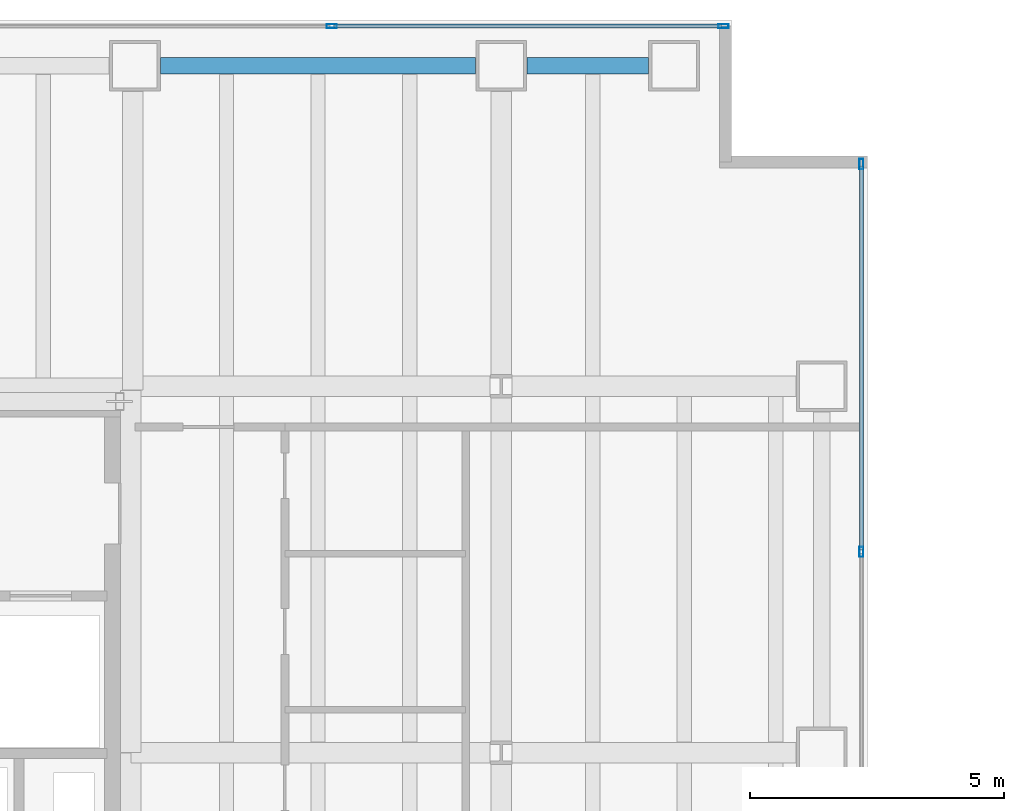
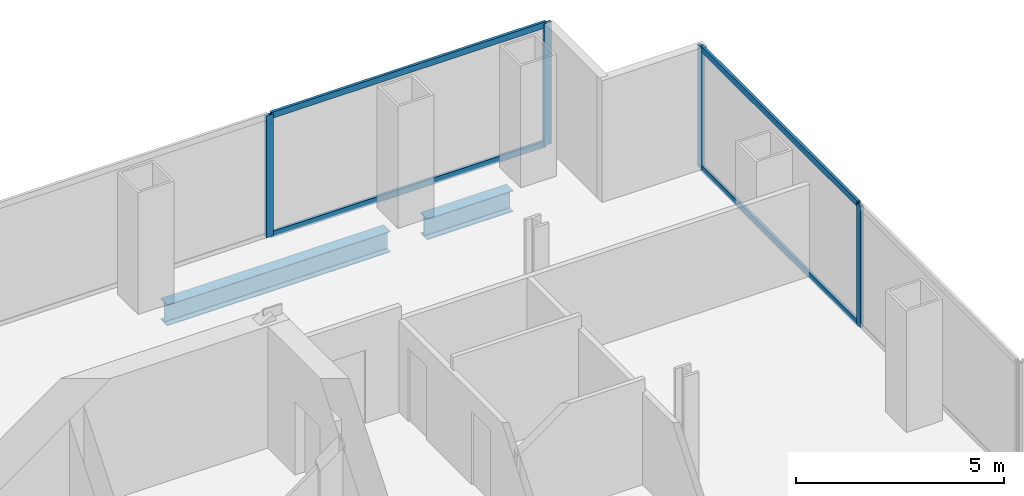
# One storey, part 18 of 23: 8 members, 2 beams, 2 elements without a shape of their own.
"""IFC4 building model written with IfcOpenShell, lengths in metres."""

import ifcopenshell
import ifcopenshell.guid

model = None  # the IFC model being written
_history = None  # IfcOwnerHistory: only IFC2X3 demands one
_inside = {}  # id of a spatial element -> (the spatial element, [elements in it])
_under = {}  # id of a project, library or spatial element -> (it, [spatial elements below it])
_declared = {}  # id of a project -> (the project, [libraries it declares])
_typed = {}  # id of a type object -> (the type object, [elements of that type])
_made_of = {}  # id of a material, layer set ... -> (it, [elements and type objects made of it])


def new_model(schema):
    """Start an empty IFC model of exactly this schema.

    Asked for "IFC4X3", IfcOpenShell would pick the latest addendum, in which some entities
    have other attributes; the version numbers below select the first issue.
    IFC2X3 requires an IfcOwnerHistory on every rooted entity: one is made here for all.
    """
    global model, _history
    if schema == "IFC4X3":
        model = ifcopenshell.file(schema_version=(4, 3, 0, 0))
    else:
        model = ifcopenshell.file(schema=schema)
    _inside.clear()
    _under.clear()
    _declared.clear()
    _typed.clear()
    _made_of.clear()
    _history = None
    if model.schema == "IFC2X3":
        org = make("IfcOrganization", Name="unknown")
        user = make(
            "IfcPersonAndOrganization",
            ThePerson=make("IfcPerson", FamilyName="unknown"),
            TheOrganization=org,
        )
        app = make(
            "IfcApplication",
            ApplicationDeveloper=org,
            Version="unknown",
            ApplicationFullName="unknown",
            ApplicationIdentifier="unknown",
        )
        _history = make(
            "IfcOwnerHistory",
            OwningUser=user,
            OwningApplication=app,
            ChangeAction="ADDED",
            CreationDate=0,
        )
    return model


def make(cls, **values):
    """One entity of the class cls with the attributes given. An attribute that is None is left unset."""
    return model.create_entity(
        cls, **{name: value for name, value in values.items() if value is not None}
    )


def rooted(cls, **values):
    """An entity with a GlobalId (a new one), such as an element, a storey or a relation."""
    return make(cls, GlobalId=ifcopenshell.guid.new(), OwnerHistory=_history, **values)


def si_unit(unit_type, name, prefix=None):
    """IfcSIUnit, for example si_unit("LENGTHUNIT", "METRE", prefix="MILLI")."""
    return make("IfcSIUnit", UnitType=unit_type, Prefix=prefix, Name=name)


def assignment(units):
    """IfcUnitAssignment: the units of a project."""
    return None if units is None else make("IfcUnitAssignment", Units=units)


def point(xyz):
    """IfcCartesianPoint."""
    return None if xyz is None else make("IfcCartesianPoint", Coordinates=xyz)


def direction(xyz):
    """IfcDirection."""
    return None if xyz is None else make("IfcDirection", DirectionRatios=xyz)


def frame(location, z_axis=None, x_axis=None):
    """IfcAxis2Placement3D, a coordinate frame: its origin and axes. An axis left out is left unset."""
    return make(
        "IfcAxis2Placement3D",
        Location=point(location),
        Axis=direction(z_axis),
        RefDirection=direction(x_axis),
    )


def frame_2d(location, x_axis=None):
    """IfcAxis2Placement2D, a coordinate frame in the plane: its origin and x axis."""
    return make(
        "IfcAxis2Placement2D", Location=point(location), RefDirection=direction(x_axis)
    )


def origin():
    """The frame at (0, 0, 0) with its axes left unset."""
    return frame((0.0, 0.0, 0.0))


def origin_2d():
    """The frame at (0, 0) in the plane with its x axis left unset."""
    return frame_2d((0.0, 0.0))


def place(relative_to, where):
    """IfcLocalPlacement: puts the frame where relative to a parent placement (None: the world)."""
    return make(
        "IfcLocalPlacement", PlacementRelTo=relative_to, RelativePlacement=where
    )


def context(
    kind, dimensions, precision=None, world=None, true_north=None, identifier=None
):
    """IfcGeometricRepresentationContext, for example the 3D "Model" context."""
    return make(
        "IfcGeometricRepresentationContext",
        ContextIdentifier=identifier,
        ContextType=kind,
        CoordinateSpaceDimension=dimensions,
        Precision=precision,
        WorldCoordinateSystem=world,
        TrueNorth=true_north,
    )


def subcontext(parent, identifier, kind, view, scale=None):
    """IfcGeometricRepresentationSubContext, for example "Body" below "Model"."""
    return make(
        "IfcGeometricRepresentationSubContext",
        ContextIdentifier=identifier,
        ContextType=kind,
        ParentContext=parent,
        TargetScale=scale,
        TargetView=view,
    )


def project(units=None, contexts=None):
    """IfcProject with its units and contexts."""
    return rooted(
        "IfcProject",
        Name="project",
        RepresentationContexts=contexts,
        UnitsInContext=assignment(units),
    )


def spatial(cls, under=None, at=None, **own):
    """A site, building, storey or space (cls), placed at a placement, below another one or the project."""
    s = rooted(cls, ObjectPlacement=at, **own)
    if under is not None:
        _under.setdefault(under.id(), (under, []))[1].append(s)
    return s


def profile(cls, at=None, kind="AREA", **sizes):
    """A parametric profile (cls). Its sizes go by their IFC names, for example OverallWidth=200.0."""
    return make(cls, ProfileType=kind, Position=at, **sizes)


def hollow_rectangle(**sizes):
    """IfcRectangleHollowProfileDef."""
    return profile("IfcRectangleHollowProfileDef", **sizes)


def i_section(**sizes):
    """IfcIShapeProfileDef."""
    return profile("IfcIShapeProfileDef", **sizes)


def extrude(swept, where, along, depth):
    """IfcExtrudedAreaSolid: the profile swept, set in the frame where, extruded along a direction by depth."""
    return make(
        "IfcExtrudedAreaSolid",
        SweptArea=swept,
        Position=where,
        ExtrudedDirection=direction(along),
        Depth=depth,
    )


def shape(context_of_items, identifier, shape_type, items):
    """IfcShapeRepresentation: the items that make up one representation, for example the "Body"."""
    return make(
        "IfcShapeRepresentation",
        ContextOfItems=context_of_items,
        RepresentationIdentifier=identifier,
        RepresentationType=shape_type,
        Items=items,
    )


def material(Name=None, Category=None):
    """IfcMaterial."""
    return make("IfcMaterial", Name=Name, Category=Category)


def material_profile(
    of_material, cross_section, Name=None, Category=None, Priority=None
):
    """IfcMaterialProfile: a cross section and its material."""
    return make(
        "IfcMaterialProfile",
        Name=Name,
        Material=of_material,
        Profile=cross_section,
        Priority=Priority,
        Category=Category,
    )


def profile_set(profiles, Name=None, composite=None):
    """IfcMaterialProfileSet."""
    return make(
        "IfcMaterialProfileSet",
        Name=Name,
        MaterialProfiles=profiles,
        CompositeProfile=composite,
    )


def made_of(thing, what):
    """Note that an element or type object is made of a material, layer set ...; save() writes the relation."""
    if what is not None:
        _made_of.setdefault(what.id(), (what, []))[1].append(thing)
    return thing


def type_object(cls, material=None, **own):
    """A type object (cls), such as IfcWallType, which elements share."""
    return made_of(rooted(cls, **own), material)


def element(
    cls,
    number,
    at=None,
    inside=None,
    cuts=None,
    type_object=None,
    material=None,
    context=None,
    identifier="Body",
    shape_type=None,
    held_by="IfcProductDefinitionShape",
    body=None,
    shapes=None,
    **own,
):
    """One element of the class cls, such as IfcWall. Its Tag is "e" and its number.

    at: its placement. inside: the storey or other place that contains it. cuts: it is an
    opening in that element (IfcRelVoidsElement). A single representation is given by context,
    identifier, shape_type and body (its items); several are given by shapes. held_by: the class
    of the entity that holds the representations. save() writes the other relations.
    """
    e = rooted(cls, Tag="e%d" % number, ObjectPlacement=at, **own)
    if body is not None:
        shapes = [shape(context, identifier, shape_type, body)]
    if shapes is not None:
        e.Representation = make(held_by, Representations=shapes)
    if inside is not None:
        _inside.setdefault(inside.id(), (inside, []))[1].append(e)
    if cuts is not None:
        rooted(
            "IfcRelVoidsElement", RelatingBuildingElement=cuts, RelatedOpeningElement=e
        )
    if type_object is not None:
        _typed.setdefault(type_object.id(), (type_object, []))[1].append(e)
    return made_of(e, material)


def aggregate(whole, parts):
    """IfcRelAggregates: a whole, such as a stair, and the parts it consists of."""
    return rooted("IfcRelAggregates", RelatingObject=whole, RelatedObjects=parts)


def save(model, path):
    """Write the relations noted so far, then the file.

    IfcRelAggregates (storeys below a building ...), IfcRelContainedInSpatialStructure (elements
    in a storey), IfcRelDefinesByType, IfcRelAssociatesMaterial and IfcRelDeclares: one each for
    every whole, place, type object, material and project.
    """
    for whole, parts in _under.values():
        aggregate(whole, parts)
    for where, things in _inside.values():
        rooted(
            "IfcRelContainedInSpatialStructure",
            RelatedElements=things,
            RelatingStructure=where,
        )
    for kind, things in _typed.values():
        rooted("IfcRelDefinesByType", RelatedObjects=things, RelatingType=kind)
    for what, things in _made_of.values():
        rooted("IfcRelAssociatesMaterial", RelatedObjects=things, RelatingMaterial=what)
    for by, libraries in _declared.values():
        rooted("IfcRelDeclares", RelatingContext=by, RelatedDefinitions=libraries)
    model.write(path)


model = new_model("IFC4")

# Units and contexts
model_context = context("Model", 3, precision=1e-05, world=origin(), true_north=direction((0.0, 1.0)))
body_context = subcontext(model_context, "Body", "Model", "MODEL_VIEW")
ifc_project = project(units=[si_unit("LENGTHUNIT", "METRE"), si_unit("AREAUNIT", "SQUARE_METRE"), si_unit("VOLUMEUNIT", "CUBIC_METRE"), si_unit("PLANEANGLEUNIT", "RADIAN"), si_unit("MASSUNIT", "GRAM", prefix="KILO")], contexts=[model_context])

# Site, building, storey
site_placement = place(None, origin())
site = spatial("IfcSite", under=ifc_project, at=site_placement, CompositionType="ELEMENT")
building_placement = place(site_placement, origin())
building = spatial("IfcBuilding", under=site, at=building_placement, Name="Cobrela Telecom Tower", CompositionType="ELEMENT")
storey_placement = place(building_placement, frame((0.0, 0.0, 54.25)))
storey = spatial("IfcBuildingStorey", under=building, at=storey_placement, Name="L13", CompositionType="ELEMENT", Elevation=54.25)

# Beams
ifc_material_1 = material(Name="Steel ASTM A992 Grade 50", Category="steel")
ifc_material_profile_1 = material_profile(ifc_material_1, i_section(OverallWidth=0.324951171875, OverallDepth=0.612060546875, WebThickness=0.0126953125, FlangeThickness=0.01904296875, FilletRadius=0.014892578125, at=origin_2d()), Name="W24X104")
ifc_profile_set_1 = profile_set([ifc_material_profile_1], Name="Steel ASTM A992 Grade 50")
beam_type = type_object("IfcBeamType", Name="BM-SPAND-02", PredefinedType="SPANDREL", material=ifc_profile_set_1)
beam_1_placement = place(storey_placement, frame((14.905029296875, 42.300048828125, -0.5859375), z_axis=(1.0, 0.0, 0.0), x_axis=(0.0, 1.0, 0.0)))
element("IfcBeam", 1, at=beam_1_placement, inside=storey, type_object=beam_type, Name="L13 Perimeter Spandrel X30", PredefinedType="SPANDREL", context=body_context, shape_type="SweptSolid", body=[
    extrude(i_section(OverallWidth=0.324951171875, OverallDepth=0.612060546875, WebThickness=0.0126953125, FlangeThickness=0.01904296875, FilletRadius=0.014892578125, at=origin_2d()), origin(), (0.0, 0.0, 1.0), 6.18994140625),
])
beam_2_placement = place(storey_placement, frame((22.10498046875, 42.300048828125, -0.5859375), z_axis=(1.0, 0.0, 0.0), x_axis=(0.0, 1.0, 0.0)))
element("IfcBeam", 2, at=beam_2_placement, inside=storey, type_object=beam_type, Name="L13 Perimeter Spandrel X31", PredefinedType="SPANDREL", context=body_context, shape_type="SweptSolid", body=[
    extrude(i_section(OverallWidth=0.324951171875, OverallDepth=0.612060546875, WebThickness=0.0126953125, FlangeThickness=0.01904296875, FilletRadius=0.014892578125, at=origin_2d()), origin(), (0.0, 0.0, 1.0), 2.39013671875),
])

# Curtain wall, members
ifc_material_2 = material(Name="Anodized Bronze Aluminium 6063-T6", Category="aluminium")
curtain_wall_type = type_object("IfcCurtainWallType", Name="CW-SYS-DATA", PredefinedType="USERDEFINED", material=ifc_material_2)
curtain_wall_1_placement = place(storey_placement, origin())
curtain_wall_1 = element("IfcCurtainWall", 3, at=curtain_wall_1_placement, inside=storey, type_object=curtain_wall_type, Name="L13 Unitised Bronze Curtain Wall 07", ObjectType="UNITISED CURTAIN WALL", PredefinedType="USERDEFINED")
ifc_material_profile_2 = material_profile(ifc_material_2, hollow_rectangle(XDim=0.080078125, YDim=0.199951171875, WallThickness=0.00390625, at=origin_2d()), Name="ALU 80x200x4")
ifc_profile_set_2 = profile_set([ifc_material_profile_2], Name="Anodized Bronze Aluminium 6063-T6")
member_type_1 = type_object("IfcMemberType", Name="CW-SYS-DATA-MUL", PredefinedType="MULLION", material=ifc_profile_set_2)
member_1_placement = place(storey_placement, frame((18.27001953125, 43.080078125, 0.0), z_axis=(0.0, 0.0, 1.0), x_axis=(0.0, 1.0, 0.0)))
member_1 = element("IfcMember", 4, at=member_1_placement, type_object=member_type_1, Name="CW-DATA mullion 3", PredefinedType="MULLION", context=body_context, shape_type="SweptSolid", body=[
    extrude(hollow_rectangle(XDim=0.080078125, YDim=0.199951171875, WallThickness=0.00390625, at=origin_2d()), origin(), (0.0, 0.0, 1.0), 3.570068359375),
])
member_2_placement = place(storey_placement, frame((25.969970703125, 43.080078125, 0.0), z_axis=(0.0, 0.0, 1.0), x_axis=(0.0, 1.0, 0.0)))
member_2 = element("IfcMember", 5, at=member_2_placement, type_object=member_type_1, Name="CW-DATA mullion 4", PredefinedType="MULLION", context=body_context, shape_type="SweptSolid", body=[
    extrude(hollow_rectangle(XDim=0.080078125, YDim=0.199951171875, WallThickness=0.00390625, at=origin_2d()), origin(), (0.0, 0.0, 1.0), 3.570068359375),
])

curtain_wall_2_placement = place(storey_placement, origin())
curtain_wall_2 = element("IfcCurtainWall", 6, at=curtain_wall_2_placement, inside=storey, type_object=curtain_wall_type, Name="L13 Unitised Bronze Curtain Wall 10", ObjectType="UNITISED CURTAIN WALL", PredefinedType="USERDEFINED")
member_3_placement = place(storey_placement, frame((28.679931640625, 40.3701171875, 0.0), z_axis=(0.0, 0.0, 1.0), x_axis=(1.0, 0.0, 0.0)))
member_3 = element("IfcMember", 7, at=member_3_placement, type_object=member_type_1, Name="CW-DATA mullion 1", PredefinedType="MULLION", context=body_context, shape_type="SweptSolid", body=[
    extrude(hollow_rectangle(XDim=0.080078125, YDim=0.199951171875, WallThickness=0.00390625, at=origin_2d()), origin(), (0.0, 0.0, 1.0), 3.570068359375),
])
member_4_placement = place(storey_placement, frame((28.679931640625, 32.7451171875, 0.0), z_axis=(0.0, 0.0, 1.0), x_axis=(1.0, 0.0, 0.0)))
member_4 = element("IfcMember", 8, at=member_4_placement, type_object=member_type_1, Name="CW-DATA mullion 2", PredefinedType="MULLION", context=body_context, shape_type="SweptSolid", body=[
    extrude(hollow_rectangle(XDim=0.080078125, YDim=0.199951171875, WallThickness=0.00390625, at=origin_2d()), origin(), (0.0, 0.0, 1.0), 3.570068359375),
])

# Member
ifc_material_profile_3 = material_profile(ifc_material_2, hollow_rectangle(XDim=0.074951171875, YDim=0.179931640625, WallThickness=0.00390625, at=origin_2d()), Name="ALU 75x180x4")
ifc_profile_set_3 = profile_set([ifc_material_profile_3], Name="Anodized Bronze Aluminium 6063-T6")
member_type_2 = type_object("IfcMemberType", Name="CW-SYS-DATA-TRN", PredefinedType="USERDEFINED", material=ifc_profile_set_3)
member_5_placement = place(storey_placement, frame((18.31005859375, 43.080078125, 0.03759765625), z_axis=(1.0, 0.0, 0.0), x_axis=(0.0, 1.0, 0.0)))
member_5 = element("IfcMember", 9, at=member_5_placement, type_object=member_type_2, Name="CW-DATA transom 3.1", ObjectType="TRANSOM", PredefinedType="USERDEFINED", context=body_context, shape_type="SweptSolid", body=[
    extrude(hollow_rectangle(XDim=0.074951171875, YDim=0.179931640625, WallThickness=0.00390625, at=origin_2d()), origin(), (0.0, 0.0, 1.0), 7.619873046875),
])

member_6_placement = place(storey_placement, frame((18.31005859375, 43.080078125, 3.532470703125), z_axis=(1.0, 0.0, 0.0), x_axis=(0.0, 1.0, 0.0)))
member_6 = element("IfcMember", 10, at=member_6_placement, type_object=member_type_2, Name="CW-DATA transom 3.2", ObjectType="TRANSOM", PredefinedType="USERDEFINED", context=body_context, shape_type="SweptSolid", body=[
    extrude(hollow_rectangle(XDim=0.074951171875, YDim=0.179931640625, WallThickness=0.00390625, at=origin_2d()), origin(), (0.0, 0.0, 1.0), 7.619873046875),
])

aggregate(curtain_wall_1, [member_1, member_2, member_5, member_6])

member_7_placement = place(storey_placement, frame((28.679931640625, 40.330078125, 0.03759765625), z_axis=(0.0, -1.0, 0.0), x_axis=(1.0, 0.0, 0.0)))
member_7 = element("IfcMember", 11, at=member_7_placement, type_object=member_type_2, Name="CW-DATA transom 1.1", ObjectType="TRANSOM", PredefinedType="USERDEFINED", context=body_context, shape_type="SweptSolid", body=[
    extrude(hollow_rectangle(XDim=0.074951171875, YDim=0.179931640625, WallThickness=0.00390625, at=origin_2d()), origin(), (0.0, 0.0, 1.0), 7.545166015625),
])

member_8_placement = place(storey_placement, frame((28.679931640625, 40.330078125, 3.532470703125), z_axis=(0.0, -1.0, 0.0), x_axis=(1.0, 0.0, 0.0)))
member_8 = element("IfcMember", 12, at=member_8_placement, type_object=member_type_2, Name="CW-DATA transom 1.2", ObjectType="TRANSOM", PredefinedType="USERDEFINED", context=body_context, shape_type="SweptSolid", body=[
    extrude(hollow_rectangle(XDim=0.074951171875, YDim=0.179931640625, WallThickness=0.00390625, at=origin_2d()), origin(), (0.0, 0.0, 1.0), 7.545166015625),
])

aggregate(curtain_wall_2, [member_3, member_4, member_7, member_8])

save(model, "model.ifc")
